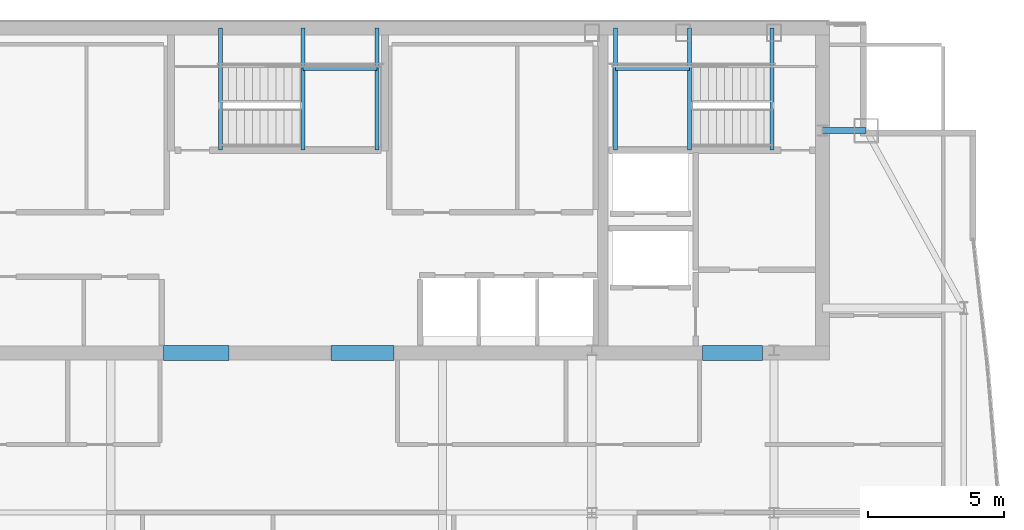
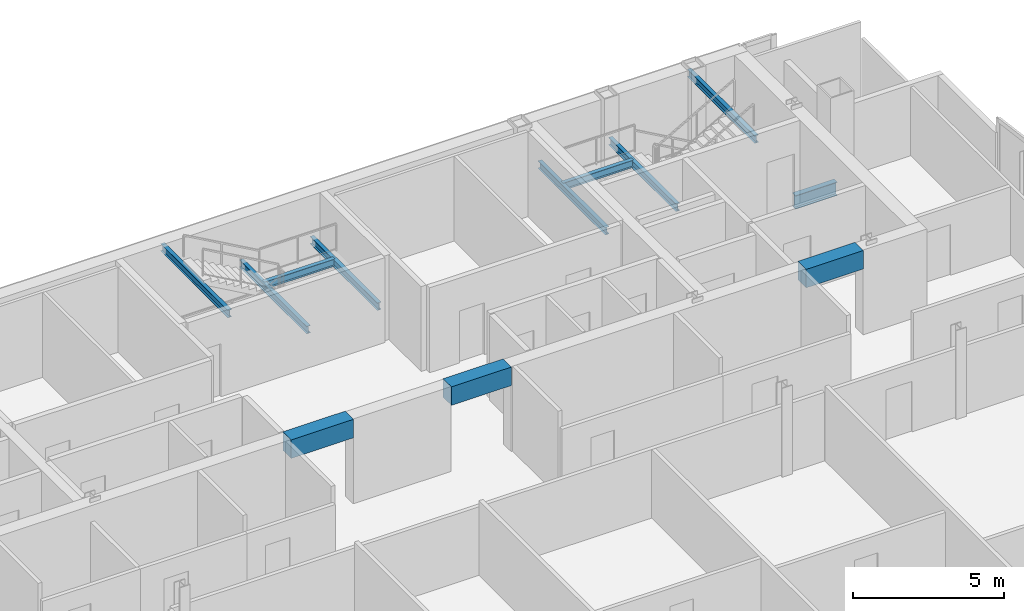
# One storey, part 17 of 25: 12 beams.
"""IFC4 building model written with IfcOpenShell, lengths in metres."""

from ifc_helpers import new_model, si_unit, direction, frame, origin, origin_2d, place, context, subcontext, project, spatial, rectangle, i_section, extrude, material, material_profile, profile_set, type_object, element, save


model = new_model("IFC4")

# Units and contexts
model_context = context("Model", 3, precision=1e-05, world=origin(), true_north=direction((0.0, 1.0)))
body_context = subcontext(model_context, "Body", "Model", "MODEL_VIEW")
ifc_project = project(units=[si_unit("LENGTHUNIT", "METRE"), si_unit("AREAUNIT", "SQUARE_METRE"), si_unit("VOLUMEUNIT", "CUBIC_METRE"), si_unit("PLANEANGLEUNIT", "RADIAN"), si_unit("MASSUNIT", "GRAM", prefix="KILO")], contexts=[model_context])

# Site, building, storey
site_placement = place(None, origin())
site = spatial("IfcSite", under=ifc_project, at=site_placement, CompositionType="ELEMENT")
building_placement = place(site_placement, origin())
building = spatial("IfcBuilding", under=site, at=building_placement, Name="Khoronbel Lancet Exchange", CompositionType="ELEMENT")
storey_placement = place(building_placement, frame((0.0, 0.0, 295.0)))
storey = spatial("IfcBuildingStorey", under=building, at=storey_placement, Name="L76", CompositionType="ELEMENT", Elevation=295.0)

# Beams
ifc_material_1 = material(Name="Steel S355", Category="steel")
ifc_material_profile_1 = material_profile(ifc_material_1, i_section(OverallWidth=0.14990234375, OverallDepth=0.300048828125, WebThickness=0.007080078125, FlangeThickness=0.0107421875, at=origin_2d()), Name="IPE 300")
ifc_profile_set_1 = profile_set([ifc_material_profile_1], Name="Steel S355")
beam_type_1 = type_object("IfcBeamType", Name="BM-BJ8", PredefinedType="JOIST", material=ifc_profile_set_1)
for number, where, z_axis, x_axis, name in (
    (1, (51.580078125, 48.97998046875, 1.449951171875), (0.0, 1.0, 0.0), (-1.0, 0.0, 0.0), "Level L76 stair ST2 landing bearer beam 1"),
    (2, (48.8701171875, 48.97998046875, 1.449951171875), (0.0, 1.0, 0.0), (-1.0, 0.0, 0.0), "Level L76 stair ST2 rear landing bearer beam 1"),
):
    element("IfcBeam", number, at=place(storey_placement, frame(where, z_axis=z_axis, x_axis=x_axis)), inside=storey, type_object=beam_type_1, Name=name, PredefinedType="JOIST", context=body_context, shape_type="SweptSolid", body=[
        extrude(i_section(OverallWidth=0.14990234375, OverallDepth=0.300048828125, WebThickness=0.007080078125, FlangeThickness=0.0107421875, at=origin_2d()), origin(), (0.0, 0.0, 1.0), 4.469970703125),
    ])
beam_1_placement = place(storey_placement, frame((48.8701171875, 51.97998046875, 1.449951171875), z_axis=(1.0, 0.0, 0.0), x_axis=(0.0, 1.0, 0.0)))
element("IfcBeam", 3, at=beam_1_placement, inside=storey, type_object=beam_type_1, Name="Level L76 stair ST2 landing cross trimmer beam 1", PredefinedType="JOIST", context=body_context, shape_type="SweptSolid", body=[
    extrude(i_section(OverallWidth=0.14990234375, OverallDepth=0.300048828125, WebThickness=0.007080078125, FlangeThickness=0.0107421875, at=origin_2d()), origin(), (0.0, 0.0, 1.0), 2.7099609375),
])
for number, where, z_axis, x_axis, name in (
    (4, (54.60009765625, 48.97998046875, 3.159912109375), (0.0, 1.0, 0.0), (-1.0, 0.0, 0.0), "Level L76 stair ST2 upper-flight arrival trimmer beam"),
    (5, (37.419921875, 48.97998046875, 1.449951171875), (0.0, 1.0, 0.0), (-1.0, 0.0, 0.0), "Level L76 stair ST3 landing bearer beam 1"),
    (6, (40.1298828125, 48.97998046875, 1.449951171875), (0.0, 1.0, 0.0), (-1.0, 0.0, 0.0), "Level L76 stair ST3 rear landing bearer beam 1"),
):
    element("IfcBeam", number, at=place(storey_placement, frame(where, z_axis=z_axis, x_axis=x_axis)), inside=storey, type_object=beam_type_1, Name=name, PredefinedType="JOIST", context=body_context, shape_type="SweptSolid", body=[
        extrude(i_section(OverallWidth=0.14990234375, OverallDepth=0.300048828125, WebThickness=0.007080078125, FlangeThickness=0.0107421875, at=origin_2d()), origin(), (0.0, 0.0, 1.0), 4.469970703125),
    ])
beam_2_placement = place(storey_placement, frame((37.419921875, 51.97998046875, 1.449951171875), z_axis=(1.0, 0.0, 0.0), x_axis=(0.0, 1.0, 0.0)))
element("IfcBeam", 7, at=beam_2_placement, inside=storey, type_object=beam_type_1, Name="Level L76 stair ST3 landing cross trimmer beam 1", PredefinedType="JOIST", context=body_context, shape_type="SweptSolid", body=[
    extrude(i_section(OverallWidth=0.14990234375, OverallDepth=0.300048828125, WebThickness=0.007080078125, FlangeThickness=0.0107421875, at=origin_2d()), origin(), (0.0, 0.0, 1.0), 2.7099609375),
])
beam_3_placement = place(storey_placement, frame((34.39990234375, 48.97998046875, 3.159912109375), z_axis=(0.0, 1.0, 0.0), x_axis=(-1.0, 0.0, 0.0)))
element("IfcBeam", 8, at=beam_3_placement, inside=storey, type_object=beam_type_1, Name="Level L76 stair ST3 upper-flight arrival trimmer beam", PredefinedType="JOIST", context=body_context, shape_type="SweptSolid", body=[
    extrude(i_section(OverallWidth=0.14990234375, OverallDepth=0.300048828125, WebThickness=0.007080078125, FlangeThickness=0.0107421875, at=origin_2d()), origin(), (0.0, 0.0, 1.0), 4.469970703125),
])
ifc_material_2 = material(Name="Concrete C60/75", Category="concrete")
ifc_material_profile_2 = material_profile(ifc_material_2, rectangle(XDim=0.550048828125, YDim=0.75, at=origin_2d()), Name="RC 550x750")
ifc_profile_set_2 = profile_set([ifc_material_profile_2], Name="Concrete C60/75")
beam_type_2 = type_object("IfcBeamType", Name="BM-BL2", PredefinedType="LINTEL", material=ifc_profile_set_2)
beam_4_placement = place(storey_placement, frame((32.300048828125, 41.550048828125, 3.06494140625), z_axis=(1.0, 0.0, 0.0), x_axis=(0.0, 1.0, 0.0)))
element("IfcBeam", 9, at=beam_4_placement, inside=storey, type_object=beam_type_2, Name="Level L76 rear core coupling lintel L2", PredefinedType="LINTEL", context=body_context, shape_type="SweptSolid", body=[
    extrude(rectangle(XDim=0.550048828125, YDim=0.75, at=origin_2d()), origin(), (0.0, 0.0, 1.0), 2.39990234375),
])
beam_5_placement = place(storey_placement, frame((38.449951171875, 41.550048828125, 3.06494140625), z_axis=(1.0, 0.0, 0.0), x_axis=(0.0, 1.0, 0.0)))
element("IfcBeam", 10, at=beam_5_placement, inside=storey, type_object=beam_type_2, Name="Level L76 rear core coupling lintel L3", PredefinedType="LINTEL", context=body_context, shape_type="SweptSolid", body=[
    extrude(rectangle(XDim=0.550048828125, YDim=0.75, at=origin_2d()), origin(), (0.0, 0.0, 1.0), 2.300048828125),
])
beam_6_placement = place(storey_placement, frame((52.050048828125, 41.550048828125, 3.06494140625), z_axis=(1.0, 0.0, 0.0), x_axis=(0.0, 1.0, 0.0)))
element("IfcBeam", 11, at=beam_6_placement, inside=storey, type_object=beam_type_2, Name="Level L76 rear core coupling lintel L4", PredefinedType="LINTEL", context=body_context, shape_type="SweptSolid", body=[
    extrude(rectangle(XDim=0.550048828125, YDim=0.75, at=origin_2d()), origin(), (0.0, 0.0, 1.0), 2.199951171875),
])
ifc_material_profile_3 = material_profile(ifc_material_1, i_section(OverallWidth=0.2099609375, OverallDepth=0.550048828125, WebThickness=0.010986328125, FlangeThickness=0.01708984375, at=origin_2d()), Name="IPE 550")
ifc_profile_set_3 = profile_set([ifc_material_profile_3], Name="Steel S355")
beam_type_3 = type_object("IfcBeamType", Name="BM-BSP3", PredefinedType="SPANDREL", material=ifc_profile_set_3)
beam_7_placement = place(storey_placement, frame((58.050048828125, 49.699951171875, -0.43505859375), z_axis=(-1.0, 0.0, 0.0), x_axis=(0.0, -1.0, 0.0)))
element("IfcBeam", 12, at=beam_7_placement, inside=storey, type_object=beam_type_3, Name="Level L76 north flank tie spandrel SP23", PredefinedType="SPANDREL", context=body_context, shape_type="SweptSolid", body=[
    extrude(i_section(OverallWidth=0.2099609375, OverallDepth=0.550048828125, WebThickness=0.010986328125, FlangeThickness=0.01708984375, at=origin_2d()), origin(), (0.0, 0.0, 1.0), 1.60009765625),
])

save(model, "model.ifc")
